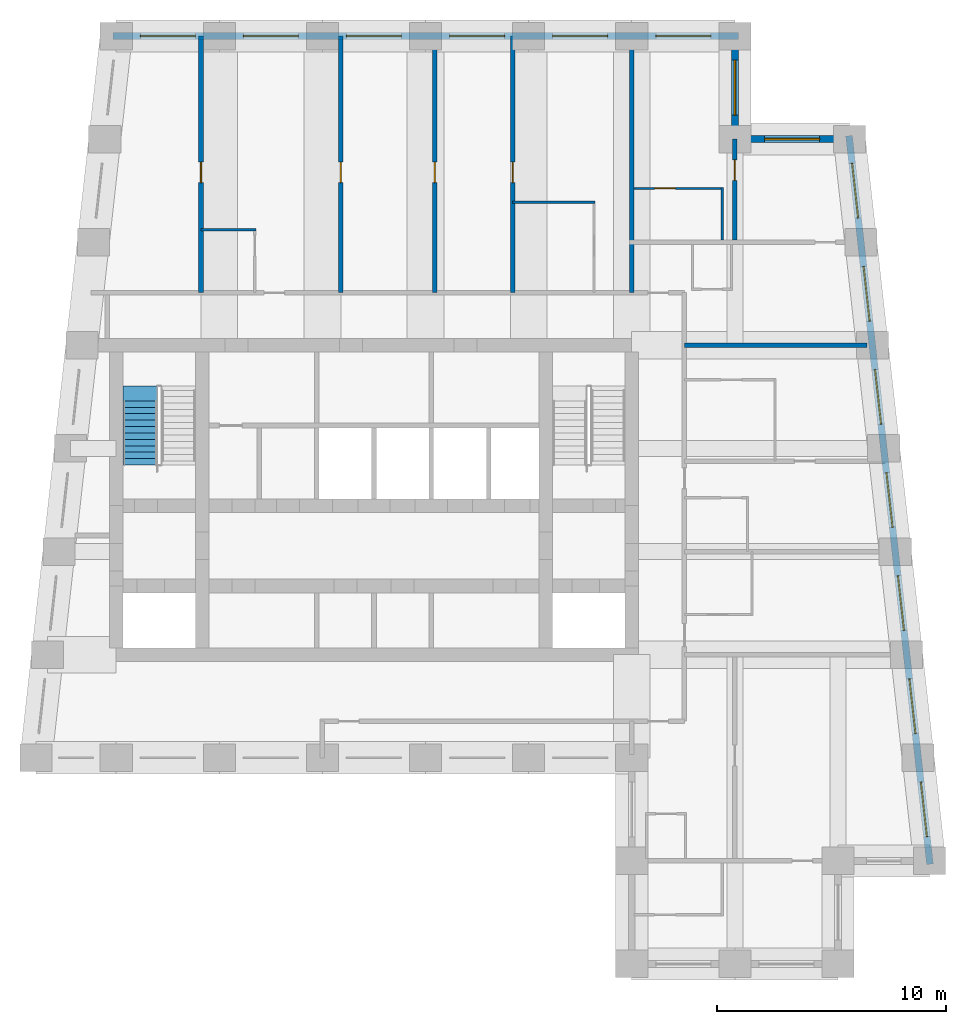
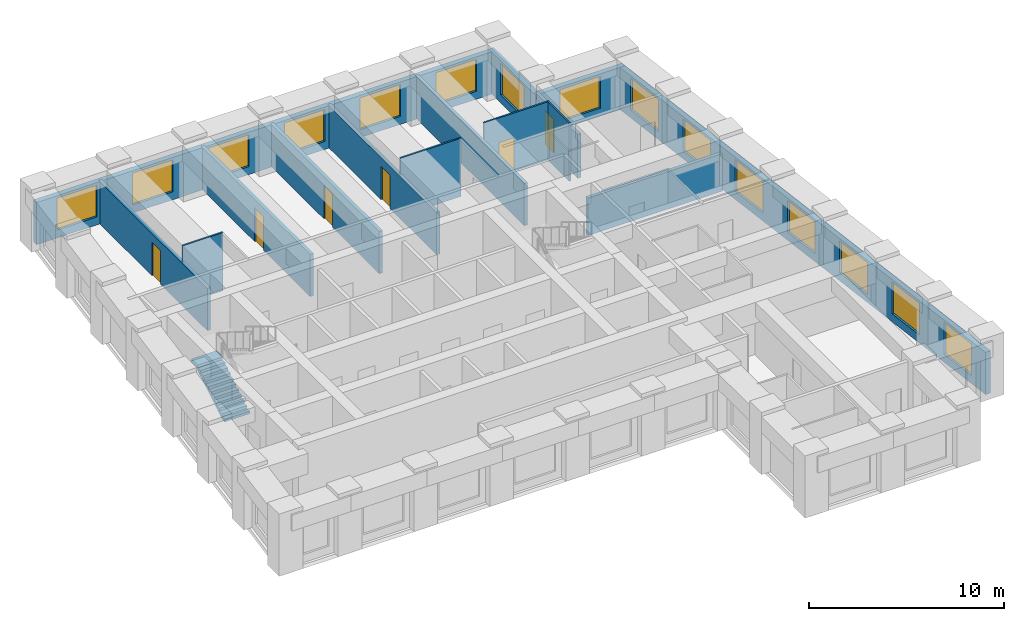
# One storey, part 5 of 7: 15 walls, 15 windows, 6 doors, 1 stair flight, 21 openings, 1 element without a shape of its own.
"""IFC4 building model written with IfcOpenShell, lengths in metres."""

import ifcopenshell
import ifcopenshell.guid

model = None  # the IFC model being written
_history = None  # IfcOwnerHistory: only IFC2X3 demands one
_inside = {}  # id of a spatial element -> (the spatial element, [elements in it])
_under = {}  # id of a project, library or spatial element -> (it, [spatial elements below it])
_declared = {}  # id of a project -> (the project, [libraries it declares])
_typed = {}  # id of a type object -> (the type object, [elements of that type])
_made_of = {}  # id of a material, layer set ... -> (it, [elements and type objects made of it])


def new_model(schema):
    """Start an empty IFC model of exactly this schema.

    Asked for "IFC4X3", IfcOpenShell would pick the latest addendum, in which some entities
    have other attributes; the version numbers below select the first issue.
    IFC2X3 requires an IfcOwnerHistory on every rooted entity: one is made here for all.
    """
    global model, _history
    if schema == "IFC4X3":
        model = ifcopenshell.file(schema_version=(4, 3, 0, 0))
    else:
        model = ifcopenshell.file(schema=schema)
    _inside.clear()
    _under.clear()
    _declared.clear()
    _typed.clear()
    _made_of.clear()
    _history = None
    if model.schema == "IFC2X3":
        org = make("IfcOrganization", Name="unknown")
        user = make(
            "IfcPersonAndOrganization",
            ThePerson=make("IfcPerson", FamilyName="unknown"),
            TheOrganization=org,
        )
        app = make(
            "IfcApplication",
            ApplicationDeveloper=org,
            Version="unknown",
            ApplicationFullName="unknown",
            ApplicationIdentifier="unknown",
        )
        _history = make(
            "IfcOwnerHistory",
            OwningUser=user,
            OwningApplication=app,
            ChangeAction="ADDED",
            CreationDate=0,
        )
    return model


def make(cls, **values):
    """One entity of the class cls with the attributes given. An attribute that is None is left unset."""
    return model.create_entity(
        cls, **{name: value for name, value in values.items() if value is not None}
    )


def rooted(cls, **values):
    """An entity with a GlobalId (a new one), such as an element, a storey or a relation."""
    return make(cls, GlobalId=ifcopenshell.guid.new(), OwnerHistory=_history, **values)


def si_unit(unit_type, name, prefix=None):
    """IfcSIUnit, for example si_unit("LENGTHUNIT", "METRE", prefix="MILLI")."""
    return make("IfcSIUnit", UnitType=unit_type, Prefix=prefix, Name=name)


def assignment(units):
    """IfcUnitAssignment: the units of a project."""
    return None if units is None else make("IfcUnitAssignment", Units=units)


def point(xyz):
    """IfcCartesianPoint."""
    return None if xyz is None else make("IfcCartesianPoint", Coordinates=xyz)


def direction(xyz):
    """IfcDirection."""
    return None if xyz is None else make("IfcDirection", DirectionRatios=xyz)


def frame(location, z_axis=None, x_axis=None):
    """IfcAxis2Placement3D, a coordinate frame: its origin and axes. An axis left out is left unset."""
    return make(
        "IfcAxis2Placement3D",
        Location=point(location),
        Axis=direction(z_axis),
        RefDirection=direction(x_axis),
    )


def frame_2d(location, x_axis=None):
    """IfcAxis2Placement2D, a coordinate frame in the plane: its origin and x axis."""
    return make(
        "IfcAxis2Placement2D", Location=point(location), RefDirection=direction(x_axis)
    )


def origin():
    """The frame at (0, 0, 0) with its axes left unset."""
    return frame((0.0, 0.0, 0.0))


def place(relative_to, where):
    """IfcLocalPlacement: puts the frame where relative to a parent placement (None: the world)."""
    return make(
        "IfcLocalPlacement", PlacementRelTo=relative_to, RelativePlacement=where
    )


def context(
    kind, dimensions, precision=None, world=None, true_north=None, identifier=None
):
    """IfcGeometricRepresentationContext, for example the 3D "Model" context."""
    return make(
        "IfcGeometricRepresentationContext",
        ContextIdentifier=identifier,
        ContextType=kind,
        CoordinateSpaceDimension=dimensions,
        Precision=precision,
        WorldCoordinateSystem=world,
        TrueNorth=true_north,
    )


def subcontext(parent, identifier, kind, view, scale=None):
    """IfcGeometricRepresentationSubContext, for example "Body" below "Model"."""
    return make(
        "IfcGeometricRepresentationSubContext",
        ContextIdentifier=identifier,
        ContextType=kind,
        ParentContext=parent,
        TargetScale=scale,
        TargetView=view,
    )


def project(units=None, contexts=None):
    """IfcProject with its units and contexts."""
    return rooted(
        "IfcProject",
        Name="project",
        RepresentationContexts=contexts,
        UnitsInContext=assignment(units),
    )


def spatial(cls, under=None, at=None, **own):
    """A site, building, storey or space (cls), placed at a placement, below another one or the project."""
    s = rooted(cls, ObjectPlacement=at, **own)
    if under is not None:
        _under.setdefault(under.id(), (under, []))[1].append(s)
    return s


def polyline(points):
    """IfcPolyline through the points."""
    return make("IfcPolyline", Points=[point(p) for p in points])


def profile(cls, at=None, kind="AREA", **sizes):
    """A parametric profile (cls). Its sizes go by their IFC names, for example OverallWidth=200.0."""
    return make(cls, ProfileType=kind, Position=at, **sizes)


def rectangle(**sizes):
    """IfcRectangleProfileDef."""
    return profile("IfcRectangleProfileDef", **sizes)


def outline(outer, holes=None, kind="AREA"):
    """IfcArbitraryClosedProfileDef: a profile drawn as a closed curve; with holes, ...WithVoids."""
    if holes is None:
        return make("IfcArbitraryClosedProfileDef", ProfileType=kind, OuterCurve=outer)
    return make(
        "IfcArbitraryProfileDefWithVoids",
        ProfileType=kind,
        OuterCurve=outer,
        InnerCurves=holes,
    )


def extrude(swept, where, along, depth):
    """IfcExtrudedAreaSolid: the profile swept, set in the frame where, extruded along a direction by depth."""
    return make(
        "IfcExtrudedAreaSolid",
        SweptArea=swept,
        Position=where,
        ExtrudedDirection=direction(along),
        Depth=depth,
    )


def shape(context_of_items, identifier, shape_type, items):
    """IfcShapeRepresentation: the items that make up one representation, for example the "Body"."""
    return make(
        "IfcShapeRepresentation",
        ContextOfItems=context_of_items,
        RepresentationIdentifier=identifier,
        RepresentationType=shape_type,
        Items=items,
    )


def material(Name=None, Category=None):
    """IfcMaterial."""
    return make("IfcMaterial", Name=Name, Category=Category)


def layer(
    of_material, thickness, ventilated=None, Name=None, Category=None, Priority=None
):
    """IfcMaterialLayer: one layer of a wall or slab, of a material (None: an air gap)."""
    return make(
        "IfcMaterialLayer",
        Material=of_material,
        LayerThickness=thickness,
        IsVentilated=ventilated,
        Name=Name,
        Category=Category,
        Priority=Priority,
    )


def layer_set(layers, Name=None):
    """IfcMaterialLayerSet."""
    return make("IfcMaterialLayerSet", MaterialLayers=layers, LayerSetName=Name)


def made_of(thing, what):
    """Note that an element or type object is made of a material, layer set ...; save() writes the relation."""
    if what is not None:
        _made_of.setdefault(what.id(), (what, []))[1].append(thing)
    return thing


def type_object(cls, material=None, **own):
    """A type object (cls), such as IfcWallType, which elements share."""
    return made_of(rooted(cls, **own), material)


def element(
    cls,
    number,
    at=None,
    inside=None,
    cuts=None,
    type_object=None,
    material=None,
    context=None,
    identifier="Body",
    shape_type=None,
    held_by="IfcProductDefinitionShape",
    body=None,
    shapes=None,
    **own,
):
    """One element of the class cls, such as IfcWall. Its Tag is "e" and its number.

    at: its placement. inside: the storey or other place that contains it. cuts: it is an
    opening in that element (IfcRelVoidsElement). A single representation is given by context,
    identifier, shape_type and body (its items); several are given by shapes. held_by: the class
    of the entity that holds the representations. save() writes the other relations.
    """
    e = rooted(cls, Tag="e%d" % number, ObjectPlacement=at, **own)
    if body is not None:
        shapes = [shape(context, identifier, shape_type, body)]
    if shapes is not None:
        e.Representation = make(held_by, Representations=shapes)
    if inside is not None:
        _inside.setdefault(inside.id(), (inside, []))[1].append(e)
    if cuts is not None:
        rooted(
            "IfcRelVoidsElement", RelatingBuildingElement=cuts, RelatedOpeningElement=e
        )
    if type_object is not None:
        _typed.setdefault(type_object.id(), (type_object, []))[1].append(e)
    return made_of(e, material)


def fill(opening, filler):
    """IfcRelFillsElement: the door or window that sits in an opening."""
    return rooted(
        "IfcRelFillsElement",
        RelatingOpeningElement=opening,
        RelatedBuildingElement=filler,
    )


def aggregate(whole, parts):
    """IfcRelAggregates: a whole, such as a stair, and the parts it consists of."""
    return rooted("IfcRelAggregates", RelatingObject=whole, RelatedObjects=parts)


def save(model, path):
    """Write the relations noted so far, then the file.

    IfcRelAggregates (storeys below a building ...), IfcRelContainedInSpatialStructure (elements
    in a storey), IfcRelDefinesByType, IfcRelAssociatesMaterial and IfcRelDeclares: one each for
    every whole, place, type object, material and project.
    """
    for whole, parts in _under.values():
        aggregate(whole, parts)
    for where, things in _inside.values():
        rooted(
            "IfcRelContainedInSpatialStructure",
            RelatedElements=things,
            RelatingStructure=where,
        )
    for kind, things in _typed.values():
        rooted("IfcRelDefinesByType", RelatedObjects=things, RelatingType=kind)
    for what, things in _made_of.values():
        rooted("IfcRelAssociatesMaterial", RelatedObjects=things, RelatingMaterial=what)
    for by, libraries in _declared.values():
        rooted("IfcRelDeclares", RelatingContext=by, RelatedDefinitions=libraries)
    model.write(path)


model = new_model("IFC4")

# Units and contexts
model_context = context("Model", 3, precision=1e-05, world=origin(), true_north=direction((0.0, 1.0)))
body_context = subcontext(model_context, "Body", "Model", "MODEL_VIEW")
ifc_project = project(units=[si_unit("LENGTHUNIT", "METRE"), si_unit("AREAUNIT", "SQUARE_METRE"), si_unit("VOLUMEUNIT", "CUBIC_METRE"), si_unit("PLANEANGLEUNIT", "RADIAN"), si_unit("MASSUNIT", "GRAM", prefix="KILO")], contexts=[model_context])

# Site, building, storey
site_placement = place(None, origin())
site = spatial("IfcSite", under=ifc_project, at=site_placement, CompositionType="ELEMENT")
building_placement = place(site_placement, origin())
building = spatial("IfcBuilding", under=site, at=building_placement, Name="Kilele Tower Hotel", CompositionType="ELEMENT")
storey_placement = place(building_placement, frame((0.0, 0.0, 274.10009765625)))
storey = spatial("IfcBuildingStorey", under=building, at=storey_placement, Name="L70", CompositionType="ELEMENT", Elevation=274.10009765625)

# Walls
ifc_material_1 = material(Name="Moisture-resistant board")
ifc_layer_1 = layer(ifc_material_1, 0.10009765625)
ifc_layer_set_1 = layer_set([ifc_layer_1], Name="Moisture-resistant board")
wall_type_1 = type_object("IfcWallType", Name="Bathroom partition 100", PredefinedType="PLUMBINGWALL", material=ifc_layer_set_1)
wall_1_placement = place(storey_placement, frame((17.199951171875, 32.050048828125, 0.0), z_axis=(0.0, 0.0, 1.0), x_axis=(1.0, 0.0, 0.0)))
element("IfcWall", 1, at=wall_1_placement, inside=storey, type_object=wall_type_1, Name="Bathroom partition 100 L70", PredefinedType="PLUMBINGWALL", context=body_context, shape_type="SweptSolid", body=[
    extrude(rectangle(XDim=2.400146484375, YDim=0.10009765625, at=frame_2d((1.2001953125, 0.0))), origin(), (0.0, 0.0, 1.0), 3.64990234375),
])
wall_2_placement = place(storey_placement, frame((30.800048828125, 33.25, 0.0), z_axis=(0.0, 0.0, 1.0), x_axis=(1.0, 0.0, 0.0)))
element("IfcWall", 2, at=wall_2_placement, inside=storey, type_object=wall_type_1, Name="Bathroom partition 100 L70", PredefinedType="PLUMBINGWALL", context=body_context, shape_type="SweptSolid", body=[
    extrude(rectangle(XDim=3.599853515625, YDim=0.10009765625, at=frame_2d((1.7998046875, 0.0))), origin(), (0.0, 0.0, 1.0), 3.64990234375),
])
wall_3_placement = place(storey_placement, frame((39.949951171875, 31.60009765625, 0.0), z_axis=(0.0, 0.0, 1.0), x_axis=(0.0, 1.0, 0.0)))
element("IfcWall", 3, at=wall_3_placement, inside=storey, type_object=wall_type_1, Name="Bathroom partition 100 L70", PredefinedType="PLUMBINGWALL", context=body_context, shape_type="SweptSolid", body=[
    extrude(rectangle(XDim=2.2998046875, YDim=0.10009765625, at=frame_2d((1.14990234375, 0.0))), origin(), (0.0, 0.0, 1.0), 3.64990234375),
])

# Wall, opening, door
wall_4_placement = place(storey_placement, frame((36.10009765625, 33.85009765625, 0.0), z_axis=(0.0, 0.0, 1.0), x_axis=(1.0, 0.0, 0.0)))
wall_4 = element("IfcWall", 4, at=wall_4_placement, inside=storey, type_object=wall_type_1, Name="Bathroom partition 100 L70", PredefinedType="PLUMBINGWALL", context=body_context, shape_type="SweptSolid", body=[
    extrude(rectangle(XDim=3.89990234375, YDim=0.10009765625, at=frame_2d((1.949951171875, 0.0))), origin(), (0.0, 0.0, 1.0), 3.64990234375),
])
opening_1_placement = place(wall_4_placement, frame((0.89990234375, 0.0, 0.0)))
opening_1 = element("IfcOpeningElement", 5, at=opening_1_placement, cuts=wall_4, Name="Opening D2A", PredefinedType="OPENING", context=body_context, shape_type="SweptSolid", body=[
    extrude(rectangle(XDim=0.89990234375, YDim=2.10009765625, at=frame_2d((0.449951171875, 1.050048828125))), frame((0.0, 0.06005859375, 0.0), z_axis=(0.0, -1.0, 0.0), x_axis=(1.0, 0.0, 0.0)), (0.0, 0.0, 1.0), 0.1201171875),
])
ifc_material_2 = material(Name="Timber door leaf in hardwood frame", Category="wood")
door_type_1 = type_object("IfcDoorType", Name="Bathroom door 900", OperationType="SINGLE_SWING_LEFT", PredefinedType="DOOR", material=ifc_material_2)
door_1_placement = place(opening_1_placement, origin())
door_1 = element("IfcDoor", 6, at=door_1_placement, inside=storey, type_object=door_type_1, Name="Bathroom door 7015B", OperationType="SINGLE_SWING_LEFT", OverallHeight=2.10009765625, OverallWidth=0.89990234375, PredefinedType="DOOR", context=body_context, shape_type="SweptSolid", body=[
    extrude(rectangle(XDim=0.89990234375, YDim=2.10009765625, at=frame_2d((0.449951171875, 1.050048828125))), frame((0.0, 0.02490234375, 0.0), z_axis=(0.0, -1.0, 0.0), x_axis=(1.0, 0.0, 0.0)), (0.0, 0.0, 1.0), 0.050048828125),
])
fill(opening_1, door_1)

ifc_material_3 = material(Name="Blockwork, plastered both sides", Category="masonry")
ifc_layer_2 = layer(ifc_material_3, 0.199951171875)
ifc_layer_set_2 = layer_set([ifc_layer_2], Name="Blockwork, plastered both sides")
wall_type_2 = type_object("IfcWallType", Name="Partition wall 200", PredefinedType="PARTITIONING", material=ifc_layer_set_2)
wall_5_placement = place(storey_placement, frame((40.5, 31.60009765625, 0.0), z_axis=(0.0, 0.0, 1.0), x_axis=(0.0, 1.0, 0.0)))
wall_5 = element("IfcWall", 7, at=wall_5_placement, inside=storey, type_object=wall_type_2, Name="Partition wall 200 L70", PredefinedType="PARTITIONING", context=body_context, shape_type="SweptSolid", body=[
    extrude(rectangle(XDim=4.39990234375, YDim=0.199951171875, at=frame_2d((2.199951171875, 0.0))), origin(), (0.0, 0.0, 1.0), 2.75),
])
opening_2_placement = place(wall_5_placement, frame((2.60009765625, 0.0, 0.0)))
opening_2 = element("IfcOpeningElement", 8, at=opening_2_placement, cuts=wall_5, Name="Opening D3", PredefinedType="OPENING", context=body_context, shape_type="SweptSolid", body=[
    extrude(rectangle(XDim=0.89990234375, YDim=2.10009765625, at=frame_2d((0.449951171875, 1.050048828125))), frame((0.0, 0.10986328125, 0.0), z_axis=(0.0, -1.0, 0.0), x_axis=(1.0, 0.0, 0.0)), (0.0, 0.0, 1.0), 0.219970703125),
])
ifc_material_4 = material(Name="Timber door leaf in hardwood frame", Category="wood")
door_type_2 = type_object("IfcDoorType", Name="Suite internal door 900", OperationType="SINGLE_SWING_LEFT", PredefinedType="DOOR", material=ifc_material_4)
door_2_placement = place(opening_2_placement, origin())
door_2 = element("IfcDoor", 9, at=door_2_placement, inside=storey, type_object=door_type_2, Name="Suite door 7016", OperationType="SINGLE_SWING_LEFT", OverallHeight=2.10009765625, OverallWidth=0.89990234375, PredefinedType="DOOR", context=body_context, shape_type="SweptSolid", body=[
    extrude(rectangle(XDim=0.89990234375, YDim=2.10009765625, at=frame_2d((0.449951171875, 1.050048828125))), frame((0.0, 0.02490234375, 0.0), z_axis=(0.0, -1.0, 0.0), x_axis=(1.0, 0.0, 0.0)), (0.0, 0.0, 1.0), 0.050048828125),
])
fill(opening_2, door_2)

ifc_material_5 = material(Name="Blockwork, plastered both sides", Category="masonry")
ifc_layer_3 = layer(ifc_material_5, 0.199951171875)
ifc_layer_set_3 = layer_set([ifc_layer_3], Name="Blockwork, plastered both sides")
wall_type_3 = type_object("IfcWallType", Name="Party wall 200", PredefinedType="PARTITIONING", material=ifc_layer_set_3)
wall_6_placement = place(storey_placement, frame((17.199951171875, 29.300048828125, 0.0), z_axis=(0.0, 0.0, 1.0), x_axis=(0.0, 1.0, 0.0)))
wall_6 = element("IfcWall", 10, at=wall_6_placement, inside=storey, type_object=wall_type_3, Name="Party wall 200 L70", PredefinedType="PARTITIONING", context=body_context, shape_type="SweptSolid", body=[
    extrude(rectangle(XDim=11.199951171875, YDim=0.199951171875, at=frame_2d((5.60009765625, 0.0))), origin(), (0.0, 0.0, 1.0), 2.64990234375),
])
opening_3_placement = place(wall_6_placement, frame((4.800048828125, 0.0, 0.0)))
opening_3 = element("IfcOpeningElement", 11, at=opening_3_placement, cuts=wall_6, Name="Opening D3", PredefinedType="OPENING", context=body_context, shape_type="SweptSolid", body=[
    extrude(rectangle(XDim=0.89990234375, YDim=2.10009765625, at=frame_2d((0.449951171875, 1.050048828125))), frame((0.0, 0.10986328125, 0.0), z_axis=(0.0, -1.0, 0.0), x_axis=(1.0, 0.0, 0.0)), (0.0, 0.0, 1.0), 0.219970703125),
])
door_3_placement = place(opening_3_placement, origin())
door_3 = element("IfcDoor", 12, at=door_3_placement, inside=storey, type_object=door_type_2, Name="Suite door 7007", OperationType="SINGLE_SWING_LEFT", OverallHeight=2.10009765625, OverallWidth=0.89990234375, PredefinedType="DOOR", context=body_context, shape_type="SweptSolid", body=[
    extrude(rectangle(XDim=0.89990234375, YDim=2.10009765625, at=frame_2d((0.449951171875, 1.050048828125))), frame((0.0, 0.02490234375, 0.0), z_axis=(0.0, -1.0, 0.0), x_axis=(1.0, 0.0, 0.0)), (0.0, 0.0, 1.0), 0.050048828125),
])
fill(opening_3, door_3)

wall_7_placement = place(storey_placement, frame((23.300048828125, 29.300048828125, 0.0), z_axis=(0.0, 0.0, 1.0), x_axis=(0.0, 1.0, 0.0)))
wall_7 = element("IfcWall", 13, at=wall_7_placement, inside=storey, type_object=wall_type_3, Name="Party wall 200 L70", PredefinedType="PARTITIONING", context=body_context, shape_type="SweptSolid", body=[
    extrude(rectangle(XDim=11.199951171875, YDim=0.199951171875, at=frame_2d((5.60009765625, 0.0))), origin(), (0.0, 0.0, 1.0), 2.64990234375),
])
opening_4_placement = place(wall_7_placement, frame((4.800048828125, 0.0, 0.0)))
opening_4 = element("IfcOpeningElement", 14, at=opening_4_placement, cuts=wall_7, Name="Opening D3", PredefinedType="OPENING", context=body_context, shape_type="SweptSolid", body=[
    extrude(rectangle(XDim=0.89990234375, YDim=2.10009765625, at=frame_2d((0.449951171875, 1.050048828125))), frame((0.0, 0.10986328125, 0.0), z_axis=(0.0, -1.0, 0.0), x_axis=(1.0, 0.0, 0.0)), (0.0, 0.0, 1.0), 0.219970703125),
])
door_4_placement = place(opening_4_placement, origin())
door_4 = element("IfcDoor", 15, at=door_4_placement, inside=storey, type_object=door_type_2, Name="Suite door 7008", OperationType="SINGLE_SWING_LEFT", OverallHeight=2.10009765625, OverallWidth=0.89990234375, PredefinedType="DOOR", context=body_context, shape_type="SweptSolid", body=[
    extrude(rectangle(XDim=0.89990234375, YDim=2.10009765625, at=frame_2d((0.449951171875, 1.050048828125))), frame((0.0, 0.02490234375, 0.0), z_axis=(0.0, -1.0, 0.0), x_axis=(1.0, 0.0, 0.0)), (0.0, 0.0, 1.0), 0.050048828125),
])
fill(opening_4, door_4)

wall_8_placement = place(storey_placement, frame((27.39990234375, 29.300048828125, 0.0), z_axis=(0.0, 0.0, 1.0), x_axis=(0.0, 1.0, 0.0)))
wall_8 = element("IfcWall", 16, at=wall_8_placement, inside=storey, type_object=wall_type_3, Name="Party wall 200 L70", PredefinedType="PARTITIONING", context=body_context, shape_type="SweptSolid", body=[
    extrude(rectangle(XDim=11.199951171875, YDim=0.199951171875, at=frame_2d((5.60009765625, 0.0))), origin(), (0.0, 0.0, 1.0), 2.64990234375),
])
opening_5_placement = place(wall_8_placement, frame((4.800048828125, 0.0, 0.0)))
opening_5 = element("IfcOpeningElement", 17, at=opening_5_placement, cuts=wall_8, Name="Opening D3", PredefinedType="OPENING", context=body_context, shape_type="SweptSolid", body=[
    extrude(rectangle(XDim=0.89990234375, YDim=2.10009765625, at=frame_2d((0.449951171875, 1.050048828125))), frame((0.0, 0.10986328125, 0.0), z_axis=(0.0, -1.0, 0.0), x_axis=(1.0, 0.0, 0.0)), (0.0, 0.0, 1.0), 0.219970703125),
])
door_5_placement = place(opening_5_placement, origin())
door_5 = element("IfcDoor", 18, at=door_5_placement, inside=storey, type_object=door_type_2, Name="Suite door 7009", OperationType="SINGLE_SWING_LEFT", OverallHeight=2.10009765625, OverallWidth=0.89990234375, PredefinedType="DOOR", context=body_context, shape_type="SweptSolid", body=[
    extrude(rectangle(XDim=0.89990234375, YDim=2.10009765625, at=frame_2d((0.449951171875, 1.050048828125))), frame((0.0, 0.02490234375, 0.0), z_axis=(0.0, -1.0, 0.0), x_axis=(1.0, 0.0, 0.0)), (0.0, 0.0, 1.0), 0.050048828125),
])
fill(opening_5, door_5)

wall_9_placement = place(storey_placement, frame((30.800048828125, 29.300048828125, 0.0), z_axis=(0.0, 0.0, 1.0), x_axis=(0.0, 1.0, 0.0)))
wall_9 = element("IfcWall", 19, at=wall_9_placement, inside=storey, type_object=wall_type_3, Name="Party wall 200 L70", PredefinedType="PARTITIONING", context=body_context, shape_type="SweptSolid", body=[
    extrude(rectangle(XDim=11.199951171875, YDim=0.199951171875, at=frame_2d((5.60009765625, 0.0))), origin(), (0.0, 0.0, 1.0), 2.64990234375),
])
opening_6_placement = place(wall_9_placement, frame((5.699951171875, 0.0, 0.0), z_axis=(0.0, 0.0, 1.0), x_axis=(-1.0, 0.0, 0.0)))
opening_6 = element("IfcOpeningElement", 20, at=opening_6_placement, cuts=wall_9, Name="Opening D3", PredefinedType="OPENING", context=body_context, shape_type="SweptSolid", body=[
    extrude(rectangle(XDim=0.89990234375, YDim=2.10009765625, at=frame_2d((0.449951171875, 1.050048828125))), frame((0.0, 0.10986328125, 0.0), z_axis=(0.0, -1.0, 0.0), x_axis=(1.0, 0.0, 0.0)), (0.0, 0.0, 1.0), 0.219970703125),
])
door_6_placement = place(opening_6_placement, origin())
door_6 = element("IfcDoor", 21, at=door_6_placement, inside=storey, type_object=door_type_2, Name="Suite door 7010", OperationType="SINGLE_SWING_RIGHT", OverallHeight=2.10009765625, OverallWidth=0.89990234375, PredefinedType="DOOR", context=body_context, shape_type="SweptSolid", body=[
    extrude(rectangle(XDim=0.89990234375, YDim=2.10009765625, at=frame_2d((0.449951171875, 1.050048828125))), frame((0.0, 0.02490234375, 0.0), z_axis=(0.0, -1.0, 0.0), x_axis=(1.0, 0.0, 0.0)), (0.0, 0.0, 1.0), 0.050048828125),
])
fill(opening_6, door_6)

# Walls
wall_10_placement = place(storey_placement, frame((38.300048828125, 27.0, 0.0), z_axis=(0.0, 0.0, 1.0), x_axis=(1.0, 0.0, 0.0)))
element("IfcWall", 22, at=wall_10_placement, inside=storey, type_object=wall_type_3, Name="Party wall 200 L70", PredefinedType="PARTITIONING", context=body_context, shape_type="SweptSolid", body=[
    extrude(rectangle(XDim=7.976806640625, YDim=0.199951171875, at=frame_2d((3.98828125, 0.0))), origin(), (0.0, 0.0, 1.0), 2.349853515625),
])
wall_11_placement = place(storey_placement, frame((36.0, 29.300048828125, 0.0), z_axis=(0.0, 0.0, 1.0), x_axis=(0.0, 1.0, 0.0)))
element("IfcWall", 23, at=wall_11_placement, inside=storey, type_object=wall_type_3, Name="Party wall 200 L70", PredefinedType="PARTITIONING", context=body_context, shape_type="SweptSolid", body=[
    extrude(rectangle(XDim=11.199951171875, YDim=0.199951171875, at=frame_2d((5.60009765625, 0.0))), origin(), (0.0, 0.0, 1.0), 2.64990234375),
])

# Wall, openings, windows
ifc_material_6 = material(Name="Concrete C40/50 precast", Category="concrete")
ifc_layer_4 = layer(ifc_material_6, 0.260009765625, Name="Precast backing", Category="LoadBearing")
ifc_material_7 = material(Name="Reconstituted stone finish", Category="masonry")
ifc_layer_5 = layer(ifc_material_7, 0.0400390625, Name="Face mix", Category="Finish")
ifc_layer_set_4 = layer_set([ifc_layer_4, ifc_layer_5], Name="Precast concrete C40/50, reconstituted stone finish")
wall_type_4 = type_object("IfcWallType", Name="Precast stone facade wall 300", PredefinedType="STANDARD", material=ifc_layer_set_4)
wall_12_placement = place(storey_placement, frame((49.0166015625, 4.350830078125, 0.0), z_axis=(0.0, 0.0, 1.0), x_axis=(-0.110433201132, 0.993883548555, 0.0)))
wall_12 = element("IfcWall", 24, at=wall_12_placement, inside=storey, type_object=wall_type_4, Name="Facade wall L70 edge 6", PredefinedType="STANDARD", context=body_context, shape_type="SweptSolid", body=[
    extrude(rectangle(XDim=31.994140625, YDim=0.300048828125, at=frame_2d((15.9970703125, 0.0))), origin(), (0.0, 0.0, 1.0), 2.64990234375),
])
opening_7_placement = place(wall_12_placement, frame((1.214111328125, 0.0, 0.5)))
opening_7 = element("IfcOpeningElement", 25, at=opening_7_placement, cuts=wall_12, Name="Opening W4", PredefinedType="OPENING", context=body_context, shape_type="SweptSolid", body=[
    extrude(rectangle(XDim=2.39990234375, YDim=2.0, at=frame_2d((1.199951171875, 1.0))), frame((0.0, 0.159912109375, 0.0), z_axis=(0.0, -1.0, 0.0), x_axis=(1.0, 0.0, 0.0)), (0.0, 0.0, 1.0), 0.320068359375),
])
opening_8_placement = place(wall_12_placement, frame((5.741943359375, 0.0, 0.5)))
opening_8 = element("IfcOpeningElement", 26, at=opening_8_placement, cuts=wall_12, Name="Opening W4", PredefinedType="OPENING", context=body_context, shape_type="SweptSolid", body=[
    extrude(rectangle(XDim=2.39990234375, YDim=2.0, at=frame_2d((1.199951171875, 1.0))), frame((0.0, 0.159912109375, 0.0), z_axis=(0.0, -1.0, 0.0), x_axis=(1.0, 0.0, 0.0)), (0.0, 0.0, 1.0), 0.320068359375),
])
opening_9_placement = place(wall_12_placement, frame((10.26904296875, 0.0, 0.5)))
opening_9 = element("IfcOpeningElement", 27, at=opening_9_placement, cuts=wall_12, Name="Opening W4", PredefinedType="OPENING", context=body_context, shape_type="SweptSolid", body=[
    extrude(rectangle(XDim=2.39990234375, YDim=2.0, at=frame_2d((1.199951171875, 1.0))), frame((0.0, 0.159912109375, 0.0), z_axis=(0.0, -1.0, 0.0), x_axis=(1.0, 0.0, 0.0)), (0.0, 0.0, 1.0), 0.320068359375),
])
opening_10_placement = place(wall_12_placement, frame((14.797119140625, 0.0, 0.5)))
opening_10 = element("IfcOpeningElement", 28, at=opening_10_placement, cuts=wall_12, Name="Opening W4", PredefinedType="OPENING", context=body_context, shape_type="SweptSolid", body=[
    extrude(rectangle(XDim=2.39990234375, YDim=2.0, at=frame_2d((1.199951171875, 1.0))), frame((0.0, 0.159912109375, 0.0), z_axis=(0.0, -1.0, 0.0), x_axis=(1.0, 0.0, 0.0)), (0.0, 0.0, 1.0), 0.320068359375),
])
opening_11_placement = place(wall_12_placement, frame((19.324951171875, 0.0, 0.5)))
opening_11 = element("IfcOpeningElement", 29, at=opening_11_placement, cuts=wall_12, Name="Opening W4", PredefinedType="OPENING", context=body_context, shape_type="SweptSolid", body=[
    extrude(rectangle(XDim=2.39990234375, YDim=2.0, at=frame_2d((1.199951171875, 1.0))), frame((0.0, 0.159912109375, 0.0), z_axis=(0.0, -1.0, 0.0), x_axis=(1.0, 0.0, 0.0)), (0.0, 0.0, 1.0), 0.320068359375),
])
opening_12_placement = place(wall_12_placement, frame((23.85205078125, 0.0, 0.5)))
opening_12 = element("IfcOpeningElement", 30, at=opening_12_placement, cuts=wall_12, Name="Opening W4", PredefinedType="OPENING", context=body_context, shape_type="SweptSolid", body=[
    extrude(rectangle(XDim=2.39990234375, YDim=2.0, at=frame_2d((1.199951171875, 1.0))), frame((0.0, 0.159912109375, 0.0), z_axis=(0.0, -1.0, 0.0), x_axis=(1.0, 0.0, 0.0)), (0.0, 0.0, 1.0), 0.320068359375),
])
opening_13_placement = place(wall_12_placement, frame((28.3798828125, 0.0, 0.5)))
opening_13 = element("IfcOpeningElement", 31, at=opening_13_placement, cuts=wall_12, Name="Opening W4", PredefinedType="OPENING", context=body_context, shape_type="SweptSolid", body=[
    extrude(rectangle(XDim=2.39990234375, YDim=2.0, at=frame_2d((1.199951171875, 1.0))), frame((0.0, 0.159912109375, 0.0), z_axis=(0.0, -1.0, 0.0), x_axis=(1.0, 0.0, 0.0)), (0.0, 0.0, 1.0), 0.320068359375),
])
ifc_material_8 = material(Name="Aluminium frame, clear double glazing", Category="aluminium")
window_type = type_object("IfcWindowType", Name="Window W4 2400 x 2000", PartitioningType="SINGLE_PANEL", PredefinedType="WINDOW", material=ifc_material_8)
window_1_placement = place(opening_7_placement, origin())
window_1 = element("IfcWindow", 32, at=window_1_placement, inside=storey, type_object=window_type, Name="Window L70", OverallHeight=2.0, OverallWidth=2.39990234375, PartitioningType="SINGLE_PANEL", PredefinedType="WINDOW", context=body_context, shape_type="SweptSolid", body=[
    extrude(rectangle(XDim=2.39990234375, YDim=2.0, at=frame_2d((1.199951171875, 1.0))), frame((0.0, 0.030029296875, 0.0), z_axis=(0.0, -1.0, 0.0), x_axis=(1.0, 0.0, 0.0)), (0.0, 0.0, 1.0), 0.06005859375),
])
fill(opening_7, window_1)
window_2_placement = place(opening_8_placement, origin())
window_2 = element("IfcWindow", 33, at=window_2_placement, inside=storey, type_object=window_type, Name="Window L70", OverallHeight=2.0, OverallWidth=2.39990234375, PartitioningType="SINGLE_PANEL", PredefinedType="WINDOW", context=body_context, shape_type="SweptSolid", body=[
    extrude(rectangle(XDim=2.39990234375, YDim=2.0, at=frame_2d((1.199951171875, 1.0))), frame((0.0, 0.030029296875, 0.0), z_axis=(0.0, -1.0, 0.0), x_axis=(1.0, 0.0, 0.0)), (0.0, 0.0, 1.0), 0.06005859375),
])
fill(opening_8, window_2)
window_3_placement = place(opening_9_placement, origin())
window_3 = element("IfcWindow", 34, at=window_3_placement, inside=storey, type_object=window_type, Name="Window L70", OverallHeight=2.0, OverallWidth=2.39990234375, PartitioningType="SINGLE_PANEL", PredefinedType="WINDOW", context=body_context, shape_type="SweptSolid", body=[
    extrude(rectangle(XDim=2.39990234375, YDim=2.0, at=frame_2d((1.199951171875, 1.0))), frame((0.0, 0.030029296875, 0.0), z_axis=(0.0, -1.0, 0.0), x_axis=(1.0, 0.0, 0.0)), (0.0, 0.0, 1.0), 0.06005859375),
])
fill(opening_9, window_3)
window_4_placement = place(opening_10_placement, origin())
window_4 = element("IfcWindow", 35, at=window_4_placement, inside=storey, type_object=window_type, Name="Window L70", OverallHeight=2.0, OverallWidth=2.39990234375, PartitioningType="SINGLE_PANEL", PredefinedType="WINDOW", context=body_context, shape_type="SweptSolid", body=[
    extrude(rectangle(XDim=2.39990234375, YDim=2.0, at=frame_2d((1.199951171875, 1.0))), frame((0.0, 0.030029296875, 0.0), z_axis=(0.0, -1.0, 0.0), x_axis=(1.0, 0.0, 0.0)), (0.0, 0.0, 1.0), 0.06005859375),
])
fill(opening_10, window_4)
window_5_placement = place(opening_11_placement, origin())
window_5 = element("IfcWindow", 36, at=window_5_placement, inside=storey, type_object=window_type, Name="Window L70", OverallHeight=2.0, OverallWidth=2.39990234375, PartitioningType="SINGLE_PANEL", PredefinedType="WINDOW", context=body_context, shape_type="SweptSolid", body=[
    extrude(rectangle(XDim=2.39990234375, YDim=2.0, at=frame_2d((1.199951171875, 1.0))), frame((0.0, 0.030029296875, 0.0), z_axis=(0.0, -1.0, 0.0), x_axis=(1.0, 0.0, 0.0)), (0.0, 0.0, 1.0), 0.06005859375),
])
fill(opening_11, window_5)
window_6_placement = place(opening_12_placement, origin())
window_6 = element("IfcWindow", 37, at=window_6_placement, inside=storey, type_object=window_type, Name="Window L70", OverallHeight=2.0, OverallWidth=2.39990234375, PartitioningType="SINGLE_PANEL", PredefinedType="WINDOW", context=body_context, shape_type="SweptSolid", body=[
    extrude(rectangle(XDim=2.39990234375, YDim=2.0, at=frame_2d((1.199951171875, 1.0))), frame((0.0, 0.030029296875, 0.0), z_axis=(0.0, -1.0, 0.0), x_axis=(1.0, 0.0, 0.0)), (0.0, 0.0, 1.0), 0.06005859375),
])
fill(opening_12, window_6)
window_7_placement = place(opening_13_placement, origin())
window_7 = element("IfcWindow", 38, at=window_7_placement, inside=storey, type_object=window_type, Name="Window L70", OverallHeight=2.0, OverallWidth=2.39990234375, PartitioningType="SINGLE_PANEL", PredefinedType="WINDOW", context=body_context, shape_type="SweptSolid", body=[
    extrude(rectangle(XDim=2.39990234375, YDim=2.0, at=frame_2d((1.199951171875, 1.0))), frame((0.0, 0.030029296875, 0.0), z_axis=(0.0, -1.0, 0.0), x_axis=(1.0, 0.0, 0.0)), (0.0, 0.0, 1.0), 0.06005859375),
])
fill(opening_13, window_7)

# Wall, opening, window
wall_13_placement = place(storey_placement, frame((45.64990234375, 36.0, 0.0), z_axis=(0.0, 0.0, 1.0), x_axis=(-1.0, 0.0, 0.0)))
wall_13 = element("IfcWall", 39, at=wall_13_placement, inside=storey, type_object=wall_type_4, Name="Facade wall L70 edge 7", PredefinedType="STANDARD", context=body_context, shape_type="SweptSolid", body=[
    extrude(rectangle(XDim=5.2998046875, YDim=0.300048828125, at=frame_2d((2.64990234375, 0.0))), origin(), (0.0, 0.0, 1.0), 2.64990234375),
])
opening_14_placement = place(wall_13_placement, frame((1.449951171875, 0.0, 0.5)))
opening_14 = element("IfcOpeningElement", 40, at=opening_14_placement, cuts=wall_13, Name="Opening W4", PredefinedType="OPENING", context=body_context, shape_type="SweptSolid", body=[
    extrude(rectangle(XDim=2.39990234375, YDim=2.0, at=frame_2d((1.199951171875, 1.0))), frame((0.0, 0.159912109375, 0.0), z_axis=(0.0, -1.0, 0.0), x_axis=(1.0, 0.0, 0.0)), (0.0, 0.0, 1.0), 0.320068359375),
])
window_8_placement = place(opening_14_placement, origin())
window_8 = element("IfcWindow", 41, at=window_8_placement, inside=storey, type_object=window_type, Name="Window L70", OverallHeight=2.0, OverallWidth=2.39990234375, PartitioningType="SINGLE_PANEL", PredefinedType="WINDOW", context=body_context, shape_type="SweptSolid", body=[
    extrude(rectangle(XDim=2.39990234375, YDim=2.0, at=frame_2d((1.199951171875, 1.0))), frame((0.0, 0.030029296875, 0.0), z_axis=(0.0, -1.0, 0.0), x_axis=(1.0, 0.0, 0.0)), (0.0, 0.0, 1.0), 0.06005859375),
])
fill(opening_14, window_8)

wall_14_placement = place(storey_placement, frame((40.5, 35.85009765625, 0.0), z_axis=(0.0, 0.0, 1.0), x_axis=(0.0, 1.0, 0.0)))
wall_14 = element("IfcWall", 42, at=wall_14_placement, inside=storey, type_object=wall_type_4, Name="Facade wall L70 edge 8", PredefinedType="STANDARD", context=body_context, shape_type="SweptSolid", body=[
    extrude(rectangle(XDim=4.7998046875, YDim=0.300048828125, at=frame_2d((2.39990234375, 0.0))), origin(), (0.0, 0.0, 1.0), 2.64990234375),
])
opening_15_placement = place(wall_14_placement, frame((1.199951171875, 0.0, 0.5)))
opening_15 = element("IfcOpeningElement", 43, at=opening_15_placement, cuts=wall_14, Name="Opening W4", PredefinedType="OPENING", context=body_context, shape_type="SweptSolid", body=[
    extrude(rectangle(XDim=2.39990234375, YDim=2.0, at=frame_2d((1.199951171875, 1.0))), frame((0.0, 0.159912109375, 0.0), z_axis=(0.0, -1.0, 0.0), x_axis=(1.0, 0.0, 0.0)), (0.0, 0.0, 1.0), 0.320068359375),
])
window_9_placement = place(opening_15_placement, origin())
window_9 = element("IfcWindow", 44, at=window_9_placement, inside=storey, type_object=window_type, Name="Window L70", OverallHeight=2.0, OverallWidth=2.39990234375, PartitioningType="SINGLE_PANEL", PredefinedType="WINDOW", context=body_context, shape_type="SweptSolid", body=[
    extrude(rectangle(XDim=2.39990234375, YDim=2.0, at=frame_2d((1.199951171875, 1.0))), frame((0.0, 0.030029296875, 0.0), z_axis=(0.0, -1.0, 0.0), x_axis=(1.0, 0.0, 0.0)), (0.0, 0.0, 1.0), 0.06005859375),
])
fill(opening_15, window_9)

# Wall, openings, windows
wall_15_placement = place(storey_placement, frame((40.64990234375, 40.5, 0.0), z_axis=(0.0, 0.0, 1.0), x_axis=(-1.0, 0.0, 0.0)))
wall_15 = element("IfcWall", 45, at=wall_15_placement, inside=storey, type_object=wall_type_4, Name="Facade wall L70 edge 9", PredefinedType="STANDARD", context=body_context, shape_type="SweptSolid", body=[
    extrude(rectangle(XDim=27.2998046875, YDim=0.300048828125, at=frame_2d((13.64990234375, 0.0))), origin(), (0.0, 0.0, 1.0), 2.64990234375),
])
opening_16_placement = place(wall_15_placement, frame((1.199951171875, 0.0, 0.5)))
opening_16 = element("IfcOpeningElement", 46, at=opening_16_placement, cuts=wall_15, Name="Opening W4", PredefinedType="OPENING", context=body_context, shape_type="SweptSolid", body=[
    extrude(rectangle(XDim=2.39990234375, YDim=2.0, at=frame_2d((1.199951171875, 1.0))), frame((0.0, 0.159912109375, 0.0), z_axis=(0.0, -1.0, 0.0), x_axis=(1.0, 0.0, 0.0)), (0.0, 0.0, 1.0), 0.320068359375),
])
opening_17_placement = place(wall_15_placement, frame((5.699951171875, 0.0, 0.5)))
opening_17 = element("IfcOpeningElement", 47, at=opening_17_placement, cuts=wall_15, Name="Opening W4", PredefinedType="OPENING", context=body_context, shape_type="SweptSolid", body=[
    extrude(rectangle(XDim=2.39990234375, YDim=2.0, at=frame_2d((1.199951171875, 1.0))), frame((0.0, 0.159912109375, 0.0), z_axis=(0.0, -1.0, 0.0), x_axis=(1.0, 0.0, 0.0)), (0.0, 0.0, 1.0), 0.320068359375),
])
opening_18_placement = place(wall_15_placement, frame((10.199951171875, 0.0, 0.5)))
opening_18 = element("IfcOpeningElement", 48, at=opening_18_placement, cuts=wall_15, Name="Opening W4", PredefinedType="OPENING", context=body_context, shape_type="SweptSolid", body=[
    extrude(rectangle(XDim=2.39990234375, YDim=2.0, at=frame_2d((1.199951171875, 1.0))), frame((0.0, 0.159912109375, 0.0), z_axis=(0.0, -1.0, 0.0), x_axis=(1.0, 0.0, 0.0)), (0.0, 0.0, 1.0), 0.320068359375),
])
opening_19_placement = place(wall_15_placement, frame((14.699951171875, 0.0, 0.5)))
opening_19 = element("IfcOpeningElement", 49, at=opening_19_placement, cuts=wall_15, Name="Opening W4", PredefinedType="OPENING", context=body_context, shape_type="SweptSolid", body=[
    extrude(rectangle(XDim=2.39990234375, YDim=2.0, at=frame_2d((1.199951171875, 1.0))), frame((0.0, 0.159912109375, 0.0), z_axis=(0.0, -1.0, 0.0), x_axis=(1.0, 0.0, 0.0)), (0.0, 0.0, 1.0), 0.320068359375),
])
opening_20_placement = place(wall_15_placement, frame((19.199951171875, 0.0, 0.5)))
opening_20 = element("IfcOpeningElement", 50, at=opening_20_placement, cuts=wall_15, Name="Opening W4", PredefinedType="OPENING", context=body_context, shape_type="SweptSolid", body=[
    extrude(rectangle(XDim=2.39990234375, YDim=2.0, at=frame_2d((1.199951171875, 1.0))), frame((0.0, 0.159912109375, 0.0), z_axis=(0.0, -1.0, 0.0), x_axis=(1.0, 0.0, 0.0)), (0.0, 0.0, 1.0), 0.320068359375),
])
opening_21_placement = place(wall_15_placement, frame((23.699951171875, 0.0, 0.5)))
opening_21 = element("IfcOpeningElement", 51, at=opening_21_placement, cuts=wall_15, Name="Opening W4", PredefinedType="OPENING", context=body_context, shape_type="SweptSolid", body=[
    extrude(rectangle(XDim=2.39990234375, YDim=2.0, at=frame_2d((1.199951171875, 1.0))), frame((0.0, 0.159912109375, 0.0), z_axis=(0.0, -1.0, 0.0), x_axis=(1.0, 0.0, 0.0)), (0.0, 0.0, 1.0), 0.320068359375),
])
window_10_placement = place(opening_16_placement, origin())
window_10 = element("IfcWindow", 52, at=window_10_placement, inside=storey, type_object=window_type, Name="Window L70", OverallHeight=2.0, OverallWidth=2.39990234375, PartitioningType="SINGLE_PANEL", PredefinedType="WINDOW", context=body_context, shape_type="SweptSolid", body=[
    extrude(rectangle(XDim=2.39990234375, YDim=2.0, at=frame_2d((1.199951171875, 1.0))), frame((0.0, 0.030029296875, 0.0), z_axis=(0.0, -1.0, 0.0), x_axis=(1.0, 0.0, 0.0)), (0.0, 0.0, 1.0), 0.06005859375),
])
fill(opening_16, window_10)
window_11_placement = place(opening_17_placement, origin())
window_11 = element("IfcWindow", 53, at=window_11_placement, inside=storey, type_object=window_type, Name="Window L70", OverallHeight=2.0, OverallWidth=2.39990234375, PartitioningType="SINGLE_PANEL", PredefinedType="WINDOW", context=body_context, shape_type="SweptSolid", body=[
    extrude(rectangle(XDim=2.39990234375, YDim=2.0, at=frame_2d((1.199951171875, 1.0))), frame((0.0, 0.030029296875, 0.0), z_axis=(0.0, -1.0, 0.0), x_axis=(1.0, 0.0, 0.0)), (0.0, 0.0, 1.0), 0.06005859375),
])
fill(opening_17, window_11)
window_12_placement = place(opening_18_placement, origin())
window_12 = element("IfcWindow", 54, at=window_12_placement, inside=storey, type_object=window_type, Name="Window L70", OverallHeight=2.0, OverallWidth=2.39990234375, PartitioningType="SINGLE_PANEL", PredefinedType="WINDOW", context=body_context, shape_type="SweptSolid", body=[
    extrude(rectangle(XDim=2.39990234375, YDim=2.0, at=frame_2d((1.199951171875, 1.0))), frame((0.0, 0.030029296875, 0.0), z_axis=(0.0, -1.0, 0.0), x_axis=(1.0, 0.0, 0.0)), (0.0, 0.0, 1.0), 0.06005859375),
])
fill(opening_18, window_12)
window_13_placement = place(opening_19_placement, origin())
window_13 = element("IfcWindow", 55, at=window_13_placement, inside=storey, type_object=window_type, Name="Window L70", OverallHeight=2.0, OverallWidth=2.39990234375, PartitioningType="SINGLE_PANEL", PredefinedType="WINDOW", context=body_context, shape_type="SweptSolid", body=[
    extrude(rectangle(XDim=2.39990234375, YDim=2.0, at=frame_2d((1.199951171875, 1.0))), frame((0.0, 0.030029296875, 0.0), z_axis=(0.0, -1.0, 0.0), x_axis=(1.0, 0.0, 0.0)), (0.0, 0.0, 1.0), 0.06005859375),
])
fill(opening_19, window_13)
window_14_placement = place(opening_20_placement, origin())
window_14 = element("IfcWindow", 56, at=window_14_placement, inside=storey, type_object=window_type, Name="Window L70", OverallHeight=2.0, OverallWidth=2.39990234375, PartitioningType="SINGLE_PANEL", PredefinedType="WINDOW", context=body_context, shape_type="SweptSolid", body=[
    extrude(rectangle(XDim=2.39990234375, YDim=2.0, at=frame_2d((1.199951171875, 1.0))), frame((0.0, 0.030029296875, 0.0), z_axis=(0.0, -1.0, 0.0), x_axis=(1.0, 0.0, 0.0)), (0.0, 0.0, 1.0), 0.06005859375),
])
fill(opening_20, window_14)
window_15_placement = place(opening_21_placement, origin())
window_15 = element("IfcWindow", 57, at=window_15_placement, inside=storey, type_object=window_type, Name="Window L70", OverallHeight=2.0, OverallWidth=2.39990234375, PartitioningType="SINGLE_PANEL", PredefinedType="WINDOW", context=body_context, shape_type="SweptSolid", body=[
    extrude(rectangle(XDim=2.39990234375, YDim=2.0, at=frame_2d((1.199951171875, 1.0))), frame((0.0, 0.030029296875, 0.0), z_axis=(0.0, -1.0, 0.0), x_axis=(1.0, 0.0, 0.0)), (0.0, 0.0, 1.0), 0.06005859375),
])
fill(opening_21, window_15)

# Stair, stair flight
ifc_material_9 = material(Name="Precast concrete C40/50", Category="concrete")
stair_type = type_object("IfcStairType", Name="Stair 1475 x 3900", PredefinedType="HALF_TURN_STAIR", material=ifc_material_9)
stair_placement = place(storey_placement, origin())
stair = element("IfcStair", 58, at=stair_placement, inside=storey, type_object=stair_type, Name="Stair 1 L70", PredefinedType="HALF_TURN_STAIR")
ifc_material_10 = material(Name="Precast concrete C40/50", Category="concrete")
stair_flight_type = type_object("IfcStairFlightType", Name="Flight 1475 riser 169.6", PredefinedType="STRAIGHT", material=ifc_material_10)
stair_flight_placement = place(storey_placement, frame((14.53759765625, 21.77490234375, 0.0), z_axis=(0.0, 0.0, 1.0), x_axis=(0.0, 1.0, 0.0)))
stair_flight = element("IfcStairFlight", 59, at=stair_flight_placement, type_object=stair_flight_type, Name="ST1 flight 1", NumberOfRisers=11, NumberOfTreads=10, PredefinedType="STRAIGHT", RiserHeight=0.169565217, TreadLength=0.28, context=body_context, shape_type="SweptSolid", body=[
    extrude(outline(polyline([(0.0, 0.0), (0.0, 0.169677734375), (0.280029296875, 0.169677734375), (0.280029296875, 0.339111328125), (0.56005859375, 0.339111328125), (0.56005859375, 0.5087890625), (0.840087890625, 0.5087890625), (0.840087890625, 0.67822265625), (1.1201171875, 0.67822265625), (1.1201171875, 0.847900390625), (1.39990234375, 0.847900390625), (1.39990234375, 1.017333984375), (1.679931640625, 1.017333984375), (1.679931640625, 1.18701171875), (1.9599609375, 1.18701171875), (1.9599609375, 1.3564453125), (2.239990234375, 1.3564453125), (2.239990234375, 1.526123046875), (2.52001953125, 1.526123046875), (2.52001953125, 1.695556640625), (2.800048828125, 1.695556640625), (2.800048828125, 1.865234375), (2.800048828125, 1.5205078125), (0.289306640625, 0.0), (0.0, 0.0)])), frame((0.0, 0.737548828125, 0.0), z_axis=(0.0, -1.0, 0.0), x_axis=(1.0, 0.0, 0.0)), (0.0, 0.0, 1.0), 1.47509765625),
    extrude(outline(polyline([(2.800048828125, 0.737548828125), (2.800048828125, -0.7373046875), (3.4501953125, -0.7373046875), (3.4501953125, 0.737548828125), (2.800048828125, 0.737548828125)])), frame((0.0, 0.0, 1.6650390625)), (0.0, 0.0, 1.0), 0.199951171875),
])
aggregate(stair, [stair_flight])

save(model, "model.ifc")
